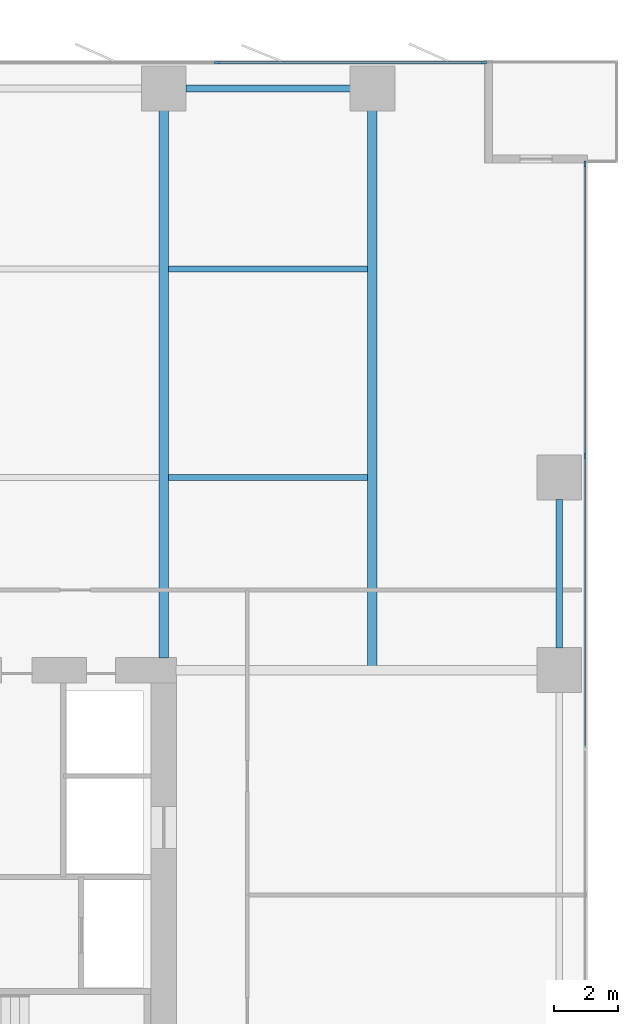
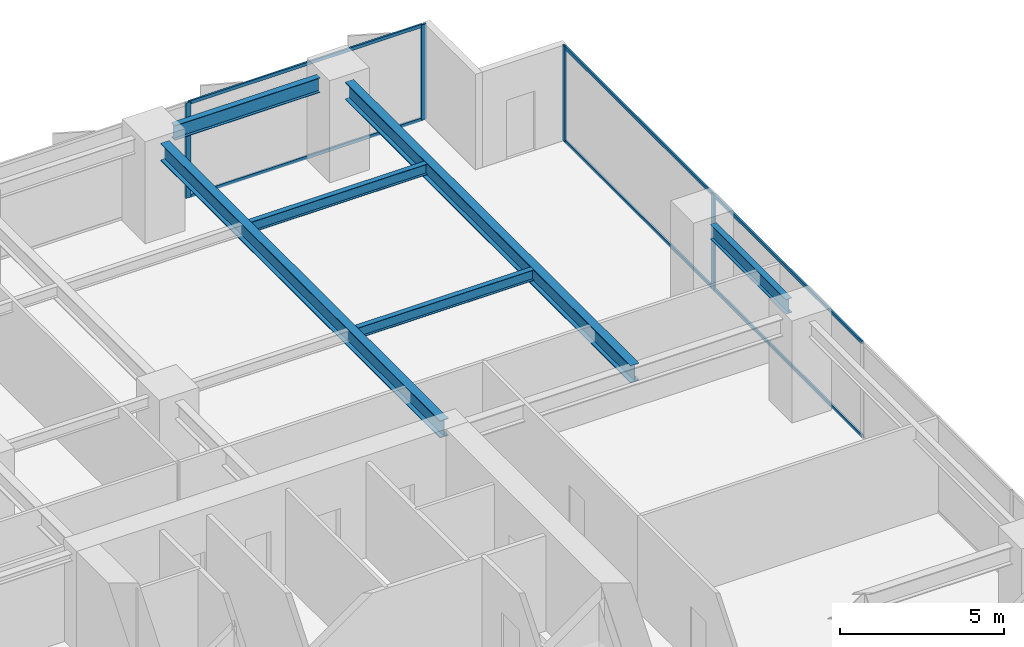
# One storey, part 11 of 20: 10 members, 6 beams, 2 elements without a shape of their own.
"""IFC4 building model written with IfcOpenShell, lengths in metres."""

from ifc_helpers import new_model, si_unit, direction, frame, origin, origin_2d, place, context, subcontext, project, spatial, rectangle, i_section, extrude, material, layer, layer_set, material_profile, profile_set, type_object, element, aggregate, save


model = new_model("IFC4")

# Units and contexts
model_context = context("Model", 3, precision=1e-05, world=origin(), true_north=direction((0.0, 1.0)))
body_context = subcontext(model_context, "Body", "Model", "MODEL_VIEW")
ifc_project = project(units=[si_unit("LENGTHUNIT", "METRE"), si_unit("AREAUNIT", "SQUARE_METRE"), si_unit("VOLUMEUNIT", "CUBIC_METRE"), si_unit("PLANEANGLEUNIT", "RADIAN"), si_unit("MASSUNIT", "GRAM", prefix="KILO")], contexts=[model_context])

# Site, building, storey
site_placement = place(None, origin())
site = spatial("IfcSite", under=ifc_project, at=site_placement, CompositionType="ELEMENT")
building_placement = place(site_placement, origin())
building = spatial("IfcBuilding", under=site, at=building_placement, Name="Putna Gate Headquarters", CompositionType="ELEMENT")
storey_placement = place(building_placement, frame((0.0, 0.0, 69.60009765625)))
storey = spatial("IfcBuildingStorey", under=building, at=storey_placement, Name="L16", CompositionType="ELEMENT", Elevation=69.60009765625)

# Beams
ifc_material_1 = material(Name="Steel S355J2", Category="steel")
ifc_material_profile_1 = material_profile(ifc_material_1, i_section(OverallWidth=0.300048828125, OverallDepth=0.64990234375, WebThickness=0.01611328125, FlangeThickness=0.031005859375, at=origin_2d()), Name="Steel S355J2")
ifc_profile_set_1 = profile_set([ifc_material_profile_1], Name="Steel S355J2")
beam_type_1 = type_object("IfcBeamType", Name="BM-GIRD-Z1-HEB650", PredefinedType="USERDEFINED", material=ifc_profile_set_1)
beam_1_placement = place(storey_placement, frame((65.0, 33.385009765625, 3.224853515625), z_axis=(0.0, 1.0, 0.0), x_axis=(-1.0, 0.0, 0.0)))
element("IfcBeam", 1, at=beam_1_placement, inside=storey, type_object=beam_type_1, Name="L16 North Primary Girder X65", ObjectType="GIRDER", PredefinedType="USERDEFINED", context=body_context, shape_type="SweptSolid", body=[
    extrude(i_section(OverallWidth=0.300048828125, OverallDepth=0.64990234375, WebThickness=0.01611328125, FlangeThickness=0.031005859375, at=origin_2d()), origin(), (0.0, 0.0, 1.0), 17.046875),
])
beam_2_placement = place(storey_placement, frame((71.5, 33.011962890625, 3.224853515625), z_axis=(0.0, 1.0, 0.0), x_axis=(-1.0, 0.0, 0.0)))
element("IfcBeam", 2, at=beam_2_placement, inside=storey, type_object=beam_type_1, Name="L16 North Primary Girder X71", ObjectType="GIRDER", PredefinedType="USERDEFINED", context=body_context, shape_type="SweptSolid", body=[
    extrude(i_section(OverallWidth=0.300048828125, OverallDepth=0.64990234375, WebThickness=0.01611328125, FlangeThickness=0.031005859375, at=origin_2d()), origin(), (0.0, 0.0, 1.0), 17.419921875),
])
ifc_material_profile_2 = material_profile(ifc_material_1, i_section(OverallWidth=0.179931640625, OverallDepth=0.39990234375, WebThickness=0.008544921875, FlangeThickness=0.013427734375, at=origin_2d()), Name="Steel S355J2")
ifc_profile_set_2 = profile_set([ifc_material_profile_2], Name="Steel S355J2")
beam_type_2 = type_object("IfcBeamType", Name="BM-SEC-Z1-IPE400", PredefinedType="BEAM", material=ifc_profile_set_2)
for number, where, z_axis, x_axis, name in (
    (3, (65.154052734375, 39.0, 3.349853515625), (1.0, 0.0, 0.0), (0.0, 1.0, 0.0), "L16 North Secondary Beam 10"),
    (4, (65.154052734375, 45.5, 3.349853515625), (1.0, 0.0, 0.0), (0.0, 1.0, 0.0), "L16 North Secondary Beam 10"),
):
    element("IfcBeam", number, at=place(storey_placement, frame(where, z_axis=z_axis, x_axis=x_axis)), inside=storey, type_object=beam_type_2, Name=name, PredefinedType="BEAM", context=body_context, shape_type="SweptSolid", body=[
        extrude(i_section(OverallWidth=0.179931640625, OverallDepth=0.39990234375, WebThickness=0.008544921875, FlangeThickness=0.013427734375, at=origin_2d()), origin(), (0.0, 0.0, 1.0), 6.19189453125),
    ])
ifc_material_profile_3 = material_profile(ifc_material_1, i_section(OverallWidth=0.2099609375, OverallDepth=0.550048828125, WebThickness=0.010986328125, FlangeThickness=0.01708984375, at=origin_2d()), Name="Steel S355J2")
ifc_profile_set_3 = profile_set([ifc_material_profile_3], Name="Steel S355J2")
beam_type_3 = type_object("IfcBeamType", Name="BM-SPAN-Z1-IPE550", PredefinedType="SPANDREL", material=ifc_profile_set_3)
beam_3_placement = place(storey_placement, frame((65.68798828125, 51.1201171875, 3.27490234375), z_axis=(1.0, 0.0, 0.0), x_axis=(0.0, 1.0, 0.0)))
element("IfcBeam", 5, at=beam_3_placement, inside=storey, type_object=beam_type_3, Name="L16 N Perimeter Spandrel 10", PredefinedType="SPANDREL", context=body_context, shape_type="SweptSolid", body=[
    extrude(i_section(OverallWidth=0.2099609375, OverallDepth=0.550048828125, WebThickness=0.010986328125, FlangeThickness=0.01708984375, at=origin_2d()), origin(), (0.0, 0.0, 1.0), 5.1240234375),
])
beam_4_placement = place(storey_placement, frame((77.320068359375, 33.68798828125, 3.27490234375), z_axis=(0.0, 1.0, 0.0), x_axis=(-1.0, 0.0, 0.0)))
element("IfcBeam", 6, at=beam_4_placement, inside=storey, type_object=beam_type_3, Name="L16 E End Spandrel 3", PredefinedType="SPANDREL", context=body_context, shape_type="SweptSolid", body=[
    extrude(i_section(OverallWidth=0.2099609375, OverallDepth=0.550048828125, WebThickness=0.010986328125, FlangeThickness=0.01708984375, at=origin_2d()), origin(), (0.0, 0.0, 1.0), 4.6240234375),
])

# Curtain wall, members
ifc_material_2 = material(Name="Anodised bronze aluminium curtain wall", Category="aluminium")
ifc_layer = layer(ifc_material_2, 0.179931640625)
ifc_layer_set = layer_set([ifc_layer], Name="Anodised bronze aluminium curtain wall")
curtain_wall_type = type_object("IfcCurtainWallType", Name="CW-SYS-Z1", PredefinedType="USERDEFINED", material=ifc_layer_set)
curtain_wall_1_placement = place(storey_placement, origin())
curtain_wall_1 = element("IfcCurtainWall", 7, at=curtain_wall_1_placement, inside=storey, type_object=curtain_wall_type, Name="L16 North East Curtain Wall", ObjectType="STICK CURTAIN WALL", PredefinedType="USERDEFINED")
ifc_material_3 = material(Name="Anodised bronze aluminium EN AW-6060", Category="aluminium")
ifc_material_profile_4 = material_profile(ifc_material_3, rectangle(XDim=0.070068359375, YDim=0.179931640625, at=origin_2d()), Name="Anodised bronze aluminium EN AW-6060")
ifc_profile_set_4 = profile_set([ifc_material_profile_4], Name="Anodised bronze aluminium EN AW-6060")
member_type_1 = type_object("IfcMemberType", Name="MULL-CWM-1", PredefinedType="MULLION", material=ifc_profile_set_4)
member_1_placement = place(storey_placement, frame((66.666748046875, 51.919921875, 0.0), z_axis=(0.0, 0.0, 1.0), x_axis=(0.0, 1.0, 0.0)))
member_1 = element("IfcMember", 8, at=member_1_placement, type_object=member_type_1, Name="CWS-1 mullion 3", PredefinedType="MULLION", context=body_context, shape_type="SweptSolid", body=[
    extrude(rectangle(XDim=0.070068359375, YDim=0.179931640625, at=origin_2d()), origin(), (0.0, 0.0, 1.0), 3.5498046875),
])
member_2_placement = place(storey_placement, frame((74.965087890625, 51.919921875, 0.0), z_axis=(0.0, 0.0, 1.0), x_axis=(0.0, 1.0, 0.0)))
member_2 = element("IfcMember", 9, at=member_2_placement, type_object=member_type_1, Name="CWS-1 mullion 4", PredefinedType="MULLION", context=body_context, shape_type="SweptSolid", body=[
    extrude(rectangle(XDim=0.070068359375, YDim=0.179931640625, at=origin_2d()), origin(), (0.0, 0.0, 1.0), 3.5498046875),
])

curtain_wall_2_placement = place(storey_placement, origin())
curtain_wall_2 = element("IfcCurtainWall", 10, at=curtain_wall_2_placement, inside=storey, type_object=curtain_wall_type, Name="L16 East Curtain Wall", ObjectType="STICK CURTAIN WALL", PredefinedType="USERDEFINED")
member_3_placement = place(storey_placement, frame((78.1201171875, 39.679931640625, 0.0), z_axis=(0.0, 0.0, 1.0), x_axis=(-1.0, 0.0, 0.0)))
member_3 = element("IfcMember", 11, at=member_3_placement, type_object=member_type_1, Name="CWS-1 mullion 5", PredefinedType="MULLION", context=body_context, shape_type="SweptSolid", body=[
    extrude(rectangle(XDim=0.070068359375, YDim=0.179931640625, at=origin_2d()), origin(), (0.0, 0.0, 1.0), 3.5498046875),
])
member_4_placement = place(storey_placement, frame((78.1201171875, 48.764892578125, 0.0), z_axis=(0.0, 0.0, 1.0), x_axis=(-1.0, 0.0, 0.0)))
member_4 = element("IfcMember", 12, at=member_4_placement, type_object=member_type_1, Name="CWS-1 mullion 6", PredefinedType="MULLION", context=body_context, shape_type="SweptSolid", body=[
    extrude(rectangle(XDim=0.070068359375, YDim=0.179931640625, at=origin_2d()), origin(), (0.0, 0.0, 1.0), 3.5498046875),
])

# Member
ifc_material_profile_5 = material_profile(ifc_material_3, rectangle(XDim=0.06494140625, YDim=0.1201171875, at=origin_2d()), Name="Anodised bronze aluminium EN AW-6060")
ifc_profile_set_5 = profile_set([ifc_material_profile_5], Name="Anodised bronze aluminium EN AW-6060")
member_type_2 = type_object("IfcMemberType", Name="TRAN-CWT-1", PredefinedType="USERDEFINED", material=ifc_profile_set_5)
member_5_placement = place(storey_placement, frame((66.70166015625, 51.919921875, 0.032470703125), z_axis=(1.0, 0.0, 0.0), x_axis=(0.0, 1.0, 0.0)))
member_5 = element("IfcMember", 13, at=member_5_placement, type_object=member_type_2, Name="CWS-1 transom 3.1", ObjectType="TRANSOM", PredefinedType="USERDEFINED", context=body_context, shape_type="SweptSolid", body=[
    extrude(rectangle(XDim=0.06494140625, YDim=0.1201171875, at=origin_2d()), origin(), (0.0, 0.0, 1.0), 8.228271484375),
])

member_6_placement = place(storey_placement, frame((66.70166015625, 51.919921875, 3.517333984375), z_axis=(1.0, 0.0, 0.0), x_axis=(0.0, 1.0, 0.0)))
member_6 = element("IfcMember", 14, at=member_6_placement, type_object=member_type_2, Name="CWS-1 transom 3.2", ObjectType="TRANSOM", PredefinedType="USERDEFINED", context=body_context, shape_type="SweptSolid", body=[
    extrude(rectangle(XDim=0.06494140625, YDim=0.1201171875, at=origin_2d()), origin(), (0.0, 0.0, 1.0), 8.228271484375),
])

aggregate(curtain_wall_1, [member_1, member_2, member_5, member_6])

member_7_placement = place(storey_placement, frame((78.1201171875, 30.594970703125, 0.032470703125), z_axis=(0.0, 1.0, 0.0), x_axis=(-1.0, 0.0, 0.0)))
member_7 = element("IfcMember", 15, at=member_7_placement, type_object=member_type_2, Name="CWS-1 transom 4.1", ObjectType="TRANSOM", PredefinedType="USERDEFINED", context=body_context, shape_type="SweptSolid", body=[
    extrude(rectangle(XDim=0.06494140625, YDim=0.1201171875, at=origin_2d()), origin(), (0.0, 0.0, 1.0), 9.050048828125),
])

member_8_placement = place(storey_placement, frame((78.1201171875, 30.594970703125, 3.517333984375), z_axis=(0.0, 1.0, 0.0), x_axis=(-1.0, 0.0, 0.0)))
member_8 = element("IfcMember", 16, at=member_8_placement, type_object=member_type_2, Name="CWS-1 transom 4.2", ObjectType="TRANSOM", PredefinedType="USERDEFINED", context=body_context, shape_type="SweptSolid", body=[
    extrude(rectangle(XDim=0.06494140625, YDim=0.1201171875, at=origin_2d()), origin(), (0.0, 0.0, 1.0), 9.050048828125),
])

member_9_placement = place(storey_placement, frame((78.1201171875, 39.715087890625, 0.032470703125), z_axis=(0.0, 1.0, 0.0), x_axis=(-1.0, 0.0, 0.0)))
member_9 = element("IfcMember", 17, at=member_9_placement, type_object=member_type_2, Name="CWS-1 transom 5.1", ObjectType="TRANSOM", PredefinedType="USERDEFINED", context=body_context, shape_type="SweptSolid", body=[
    extrude(rectangle(XDim=0.06494140625, YDim=0.1201171875, at=origin_2d()), origin(), (0.0, 0.0, 1.0), 9.014892578125),
])

member_10_placement = place(storey_placement, frame((78.1201171875, 39.715087890625, 3.517333984375), z_axis=(0.0, 1.0, 0.0), x_axis=(-1.0, 0.0, 0.0)))
member_10 = element("IfcMember", 18, at=member_10_placement, type_object=member_type_2, Name="CWS-1 transom 5.2", ObjectType="TRANSOM", PredefinedType="USERDEFINED", context=body_context, shape_type="SweptSolid", body=[
    extrude(rectangle(XDim=0.06494140625, YDim=0.1201171875, at=origin_2d()), origin(), (0.0, 0.0, 1.0), 9.014892578125),
])

aggregate(curtain_wall_2, [member_3, member_4, member_7, member_8, member_9, member_10])

save(model, "model.ifc")
